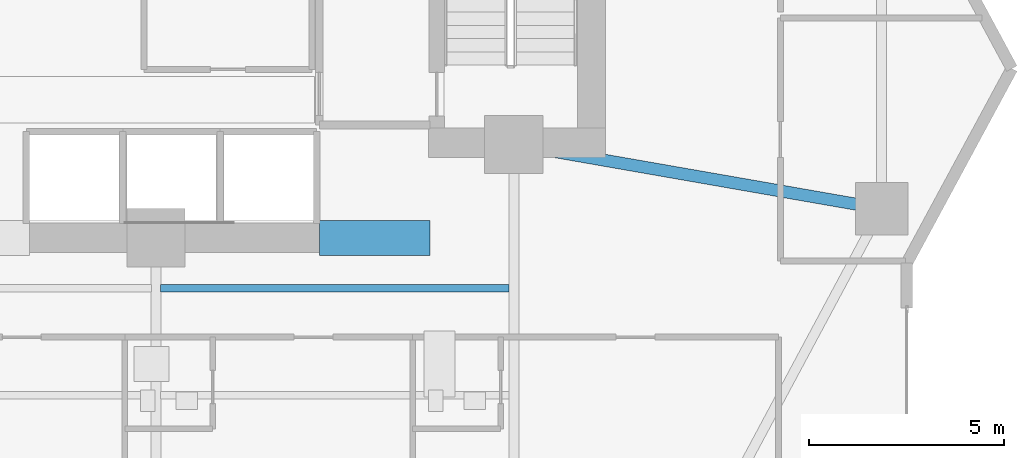
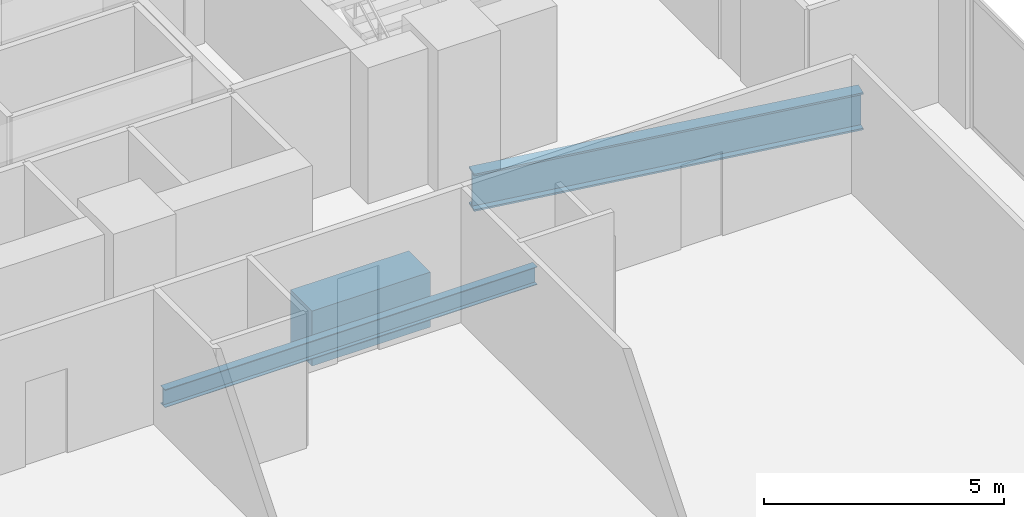
# One storey, part 12 of 27: 3 beams.
"""IFC4 building model written with IfcOpenShell, lengths in metres."""

from ifc_helpers import new_model, si_unit, direction, frame, origin, origin_2d, place, context, subcontext, project, spatial, rectangle, i_section, extrude, material, material_profile, profile_set, type_object, element, save


model = new_model("IFC4")

# Units and contexts
model_context = context("Model", 3, precision=1e-05, world=origin(), true_north=direction((0.0, 1.0)))
body_context = subcontext(model_context, "Body", "Model", "MODEL_VIEW")
ifc_project = project(units=[si_unit("LENGTHUNIT", "METRE"), si_unit("AREAUNIT", "SQUARE_METRE"), si_unit("VOLUMEUNIT", "CUBIC_METRE"), si_unit("PLANEANGLEUNIT", "RADIAN"), si_unit("MASSUNIT", "GRAM", prefix="KILO")], contexts=[model_context])

# Site, building, storey
site_placement = place(None, origin())
site = spatial("IfcSite", under=ifc_project, at=site_placement, CompositionType="ELEMENT")
building_placement = place(site_placement, origin())
building = spatial("IfcBuilding", under=site, at=building_placement, Name="Zuhayl Quay Hotel", CompositionType="ELEMENT")
storey_placement = place(building_placement, frame((0.0, 0.0, 102.949951171875)))
storey = spatial("IfcBuildingStorey", under=building, at=storey_placement, Name="L25", CompositionType="ELEMENT", Elevation=102.949951171875)

# Beams
ifc_material_1 = material(Name="Concrete C60/75", Category="concrete")
ifc_material_profile_1 = material_profile(ifc_material_1, rectangle(XDim=0.89990234375, YDim=1.39990234375, at=origin_2d()), Name="RC900X1400")
ifc_profile_set_1 = profile_set([ifc_material_profile_1], Name="Concrete C60/75")
beam_type_1 = type_object("IfcBeamType", Name="BM_CB1_RC900", PredefinedType="T_BEAM", material=ifc_profile_set_1)
beam_1_placement = place(storey_placement, frame((8.800048828125, 2.14990234375, -0.919921875), z_axis=(1.0, 0.0, 0.0), x_axis=(0.0, 1.0, 0.0)))
element("IfcBeam", 1, at=beam_1_placement, inside=storey, type_object=beam_type_1, Name="L25 Core Coupling Beam SE", PredefinedType="T_BEAM", context=body_context, shape_type="SweptSolid", body=[
    extrude(rectangle(XDim=0.89990234375, YDim=1.39990234375, at=origin_2d()), origin(), (0.0, 0.0, 1.0), 2.849853515625),
])
ifc_material_2 = material(Name="Steel ASTM A992 Grade 50", Category="steel")
ifc_material_profile_2 = material_profile(ifc_material_2, i_section(OverallWidth=0.18994140625, OverallDepth=0.45703125, WebThickness=0.009033203125, FlangeThickness=0.014404296875, at=origin_2d()), Name="W18X50")
ifc_profile_set_2 = profile_set([ifc_material_profile_2], Name="Steel ASTM A992 Grade 50")
beam_type_2 = type_object("IfcBeamType", Name="BM_J2_W18X50", PredefinedType="JOIST", material=ifc_profile_set_2)
beam_2_placement = place(storey_placement, frame((4.718994140625, 0.85009765625, -0.448486328125), z_axis=(1.0, 0.0, 0.0), x_axis=(0.0, 1.0, 0.0)))
element("IfcBeam", 2, at=beam_2_placement, inside=storey, type_object=beam_type_2, Name="L25 Floor Beam FJ_L25_9_3", PredefinedType="JOIST", context=body_context, shape_type="SweptSolid", body=[
    extrude(i_section(OverallWidth=0.18994140625, OverallDepth=0.45703125, WebThickness=0.009033203125, FlangeThickness=0.014404296875, at=origin_2d()), origin(), (0.0, 0.0, 1.0), 8.9619140625),
])
ifc_material_profile_3 = material_profile(ifc_material_2, i_section(OverallWidth=0.31005859375, OverallDepth=0.949951171875, WebThickness=0.0244140625, FlangeThickness=0.0439453125, at=origin_2d()), Name="W36X256")
ifc_profile_set_3 = profile_set([ifc_material_profile_3], Name="Steel ASTM A992 Grade 50")
beam_type_3 = type_object("IfcBeamType", Name="BM_PG1_W36X256", PredefinedType="BEAM", material=ifc_profile_set_3)
beam_3_placement = place(storey_placement, frame((14.243408203125, 4.47265625, -0.695068359375), z_axis=(0.985097302632, -0.171997977741, 0.0), x_axis=(0.171997977741, 0.985097302632, 0.0)))
element("IfcBeam", 3, at=beam_3_placement, inside=storey, type_object=beam_type_3, Name="L25 Floor Beam FG_E_L25_1", PredefinedType="BEAM", context=body_context, shape_type="SweptSolid", body=[
    extrude(i_section(OverallWidth=0.31005859375, OverallDepth=0.949951171875, WebThickness=0.0244140625, FlangeThickness=0.0439453125, at=origin_2d()), origin(), (0.0, 0.0, 1.0), 8.64306640625),
])

save(model, "model.ifc")
